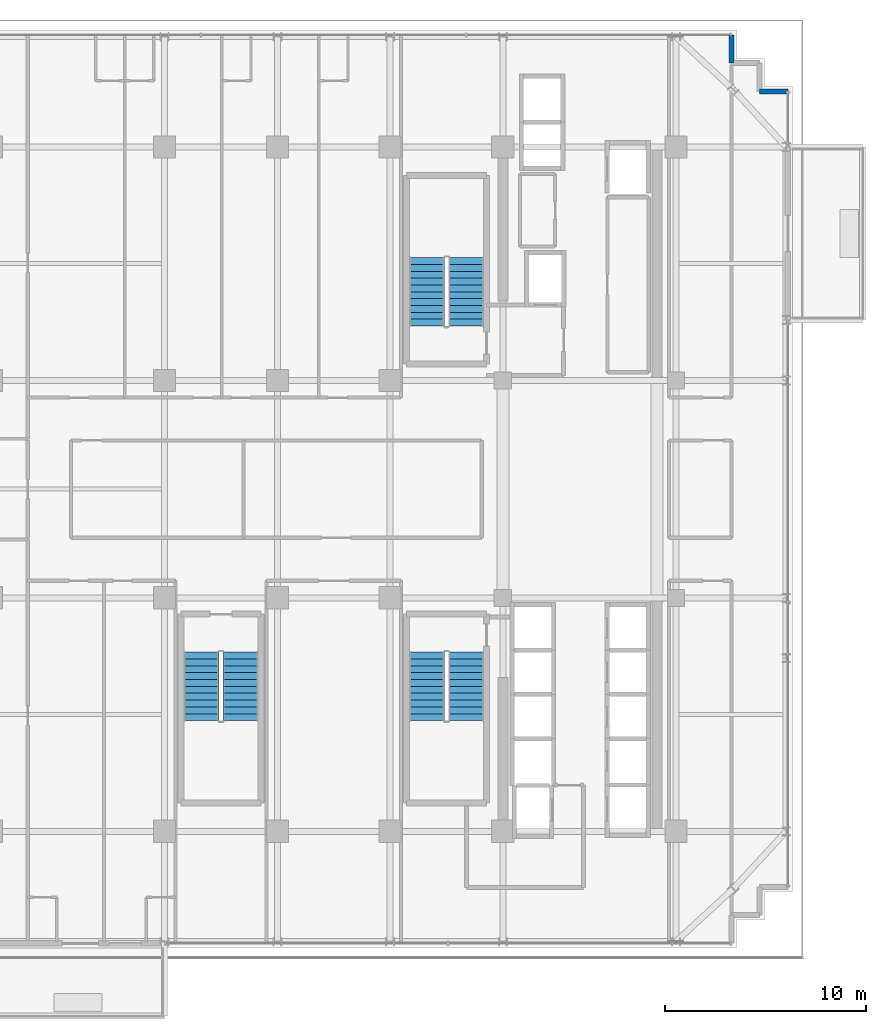
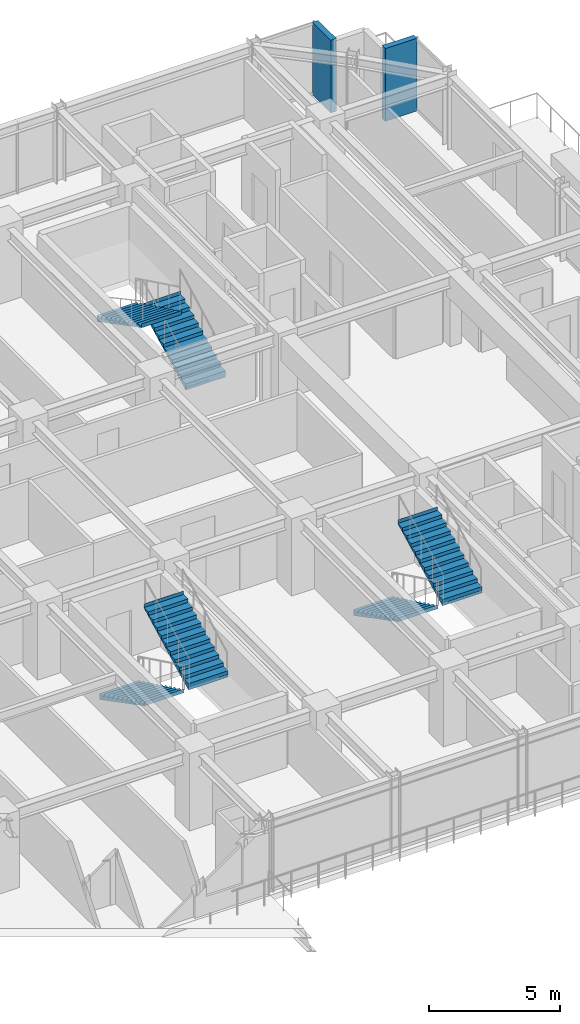
# One storey, part 29 of 33: 6 stair flights, 2 walls, 3 elements without a shape of their own.
"""IFC4 building model written with IfcOpenShell, lengths in metres."""

import ifcopenshell
import ifcopenshell.guid

model = None  # the IFC model being written
_history = None  # IfcOwnerHistory: only IFC2X3 demands one
_inside = {}  # id of a spatial element -> (the spatial element, [elements in it])
_under = {}  # id of a project, library or spatial element -> (it, [spatial elements below it])
_declared = {}  # id of a project -> (the project, [libraries it declares])
_typed = {}  # id of a type object -> (the type object, [elements of that type])
_made_of = {}  # id of a material, layer set ... -> (it, [elements and type objects made of it])


def new_model(schema):
    """Start an empty IFC model of exactly this schema.

    Asked for "IFC4X3", IfcOpenShell would pick the latest addendum, in which some entities
    have other attributes; the version numbers below select the first issue.
    IFC2X3 requires an IfcOwnerHistory on every rooted entity: one is made here for all.
    """
    global model, _history
    if schema == "IFC4X3":
        model = ifcopenshell.file(schema_version=(4, 3, 0, 0))
    else:
        model = ifcopenshell.file(schema=schema)
    _inside.clear()
    _under.clear()
    _declared.clear()
    _typed.clear()
    _made_of.clear()
    _history = None
    if model.schema == "IFC2X3":
        org = make("IfcOrganization", Name="unknown")
        user = make(
            "IfcPersonAndOrganization",
            ThePerson=make("IfcPerson", FamilyName="unknown"),
            TheOrganization=org,
        )
        app = make(
            "IfcApplication",
            ApplicationDeveloper=org,
            Version="unknown",
            ApplicationFullName="unknown",
            ApplicationIdentifier="unknown",
        )
        _history = make(
            "IfcOwnerHistory",
            OwningUser=user,
            OwningApplication=app,
            ChangeAction="ADDED",
            CreationDate=0,
        )
    return model


def make(cls, **values):
    """One entity of the class cls with the attributes given. An attribute that is None is left unset."""
    return model.create_entity(
        cls, **{name: value for name, value in values.items() if value is not None}
    )


def rooted(cls, **values):
    """An entity with a GlobalId (a new one), such as an element, a storey or a relation."""
    return make(cls, GlobalId=ifcopenshell.guid.new(), OwnerHistory=_history, **values)


def si_unit(unit_type, name, prefix=None):
    """IfcSIUnit, for example si_unit("LENGTHUNIT", "METRE", prefix="MILLI")."""
    return make("IfcSIUnit", UnitType=unit_type, Prefix=prefix, Name=name)


def assignment(units):
    """IfcUnitAssignment: the units of a project."""
    return None if units is None else make("IfcUnitAssignment", Units=units)


def point(xyz):
    """IfcCartesianPoint."""
    return None if xyz is None else make("IfcCartesianPoint", Coordinates=xyz)


def direction(xyz):
    """IfcDirection."""
    return None if xyz is None else make("IfcDirection", DirectionRatios=xyz)


def frame(location, z_axis=None, x_axis=None):
    """IfcAxis2Placement3D, a coordinate frame: its origin and axes. An axis left out is left unset."""
    return make(
        "IfcAxis2Placement3D",
        Location=point(location),
        Axis=direction(z_axis),
        RefDirection=direction(x_axis),
    )


def frame_2d(location, x_axis=None):
    """IfcAxis2Placement2D, a coordinate frame in the plane: its origin and x axis."""
    return make(
        "IfcAxis2Placement2D", Location=point(location), RefDirection=direction(x_axis)
    )


def origin():
    """The frame at (0, 0, 0) with its axes left unset."""
    return frame((0.0, 0.0, 0.0))


def place(relative_to, where):
    """IfcLocalPlacement: puts the frame where relative to a parent placement (None: the world)."""
    return make(
        "IfcLocalPlacement", PlacementRelTo=relative_to, RelativePlacement=where
    )


def context(
    kind, dimensions, precision=None, world=None, true_north=None, identifier=None
):
    """IfcGeometricRepresentationContext, for example the 3D "Model" context."""
    return make(
        "IfcGeometricRepresentationContext",
        ContextIdentifier=identifier,
        ContextType=kind,
        CoordinateSpaceDimension=dimensions,
        Precision=precision,
        WorldCoordinateSystem=world,
        TrueNorth=true_north,
    )


def subcontext(parent, identifier, kind, view, scale=None):
    """IfcGeometricRepresentationSubContext, for example "Body" below "Model"."""
    return make(
        "IfcGeometricRepresentationSubContext",
        ContextIdentifier=identifier,
        ContextType=kind,
        ParentContext=parent,
        TargetScale=scale,
        TargetView=view,
    )


def project(units=None, contexts=None):
    """IfcProject with its units and contexts."""
    return rooted(
        "IfcProject",
        Name="project",
        RepresentationContexts=contexts,
        UnitsInContext=assignment(units),
    )


def spatial(cls, under=None, at=None, **own):
    """A site, building, storey or space (cls), placed at a placement, below another one or the project."""
    s = rooted(cls, ObjectPlacement=at, **own)
    if under is not None:
        _under.setdefault(under.id(), (under, []))[1].append(s)
    return s


def polyline(points):
    """IfcPolyline through the points."""
    return make("IfcPolyline", Points=[point(p) for p in points])


def profile(cls, at=None, kind="AREA", **sizes):
    """A parametric profile (cls). Its sizes go by their IFC names, for example OverallWidth=200.0."""
    return make(cls, ProfileType=kind, Position=at, **sizes)


def rectangle(**sizes):
    """IfcRectangleProfileDef."""
    return profile("IfcRectangleProfileDef", **sizes)


def outline(outer, holes=None, kind="AREA"):
    """IfcArbitraryClosedProfileDef: a profile drawn as a closed curve; with holes, ...WithVoids."""
    if holes is None:
        return make("IfcArbitraryClosedProfileDef", ProfileType=kind, OuterCurve=outer)
    return make(
        "IfcArbitraryProfileDefWithVoids",
        ProfileType=kind,
        OuterCurve=outer,
        InnerCurves=holes,
    )


def extrude(swept, where, along, depth):
    """IfcExtrudedAreaSolid: the profile swept, set in the frame where, extruded along a direction by depth."""
    return make(
        "IfcExtrudedAreaSolid",
        SweptArea=swept,
        Position=where,
        ExtrudedDirection=direction(along),
        Depth=depth,
    )


def shape(context_of_items, identifier, shape_type, items):
    """IfcShapeRepresentation: the items that make up one representation, for example the "Body"."""
    return make(
        "IfcShapeRepresentation",
        ContextOfItems=context_of_items,
        RepresentationIdentifier=identifier,
        RepresentationType=shape_type,
        Items=items,
    )


def source(mapping_origin, context_of_items, identifier, shape_type, items):
    """IfcRepresentationMap: a shape defined once, which mapped items show again and again."""
    return make(
        "IfcRepresentationMap",
        MappingOrigin=mapping_origin,
        MappedRepresentation=shape(context_of_items, identifier, shape_type, items),
    )


def transform(
    local_origin,
    x_axis=None,
    y_axis=None,
    z_axis=None,
    scale=None,
    scale2=None,
    scale3=None,
    uniform=True,
):
    """IfcCartesianTransformationOperator3D, or its non-uniform kind. x_axis, y_axis, z_axis: its Axis1, 2, 3."""
    if uniform:
        return make(
            "IfcCartesianTransformationOperator3D",
            Axis1=direction(x_axis),
            Axis2=direction(y_axis),
            LocalOrigin=point(local_origin),
            Scale=scale,
            Axis3=direction(z_axis),
        )
    return make(
        "IfcCartesianTransformationOperator3DnonUniform",
        Axis1=direction(x_axis),
        Axis2=direction(y_axis),
        LocalOrigin=point(local_origin),
        Scale=scale,
        Axis3=direction(z_axis),
        Scale2=scale2,
        Scale3=scale3,
    )


def mapped(mapping_source, mapping_target):
    """IfcMappedItem: shows the shape of a source again, moved by a transform."""
    return make(
        "IfcMappedItem", MappingSource=mapping_source, MappingTarget=mapping_target
    )


def material(Name=None, Category=None):
    """IfcMaterial."""
    return make("IfcMaterial", Name=Name, Category=Category)


def layer(
    of_material, thickness, ventilated=None, Name=None, Category=None, Priority=None
):
    """IfcMaterialLayer: one layer of a wall or slab, of a material (None: an air gap)."""
    return make(
        "IfcMaterialLayer",
        Material=of_material,
        LayerThickness=thickness,
        IsVentilated=ventilated,
        Name=Name,
        Category=Category,
        Priority=Priority,
    )


def layer_set(layers, Name=None):
    """IfcMaterialLayerSet."""
    return make("IfcMaterialLayerSet", MaterialLayers=layers, LayerSetName=Name)


def made_of(thing, what):
    """Note that an element or type object is made of a material, layer set ...; save() writes the relation."""
    if what is not None:
        _made_of.setdefault(what.id(), (what, []))[1].append(thing)
    return thing


def type_object(cls, material=None, **own):
    """A type object (cls), such as IfcWallType, which elements share."""
    return made_of(rooted(cls, **own), material)


def element(
    cls,
    number,
    at=None,
    inside=None,
    cuts=None,
    type_object=None,
    material=None,
    context=None,
    identifier="Body",
    shape_type=None,
    held_by="IfcProductDefinitionShape",
    body=None,
    shapes=None,
    **own,
):
    """One element of the class cls, such as IfcWall. Its Tag is "e" and its number.

    at: its placement. inside: the storey or other place that contains it. cuts: it is an
    opening in that element (IfcRelVoidsElement). A single representation is given by context,
    identifier, shape_type and body (its items); several are given by shapes. held_by: the class
    of the entity that holds the representations. save() writes the other relations.
    """
    e = rooted(cls, Tag="e%d" % number, ObjectPlacement=at, **own)
    if body is not None:
        shapes = [shape(context, identifier, shape_type, body)]
    if shapes is not None:
        e.Representation = make(held_by, Representations=shapes)
    if inside is not None:
        _inside.setdefault(inside.id(), (inside, []))[1].append(e)
    if cuts is not None:
        rooted(
            "IfcRelVoidsElement", RelatingBuildingElement=cuts, RelatedOpeningElement=e
        )
    if type_object is not None:
        _typed.setdefault(type_object.id(), (type_object, []))[1].append(e)
    return made_of(e, material)


def aggregate(whole, parts):
    """IfcRelAggregates: a whole, such as a stair, and the parts it consists of."""
    return rooted("IfcRelAggregates", RelatingObject=whole, RelatedObjects=parts)


def save(model, path):
    """Write the relations noted so far, then the file.

    IfcRelAggregates (storeys below a building ...), IfcRelContainedInSpatialStructure (elements
    in a storey), IfcRelDefinesByType, IfcRelAssociatesMaterial and IfcRelDeclares: one each for
    every whole, place, type object, material and project.
    """
    for whole, parts in _under.values():
        aggregate(whole, parts)
    for where, things in _inside.values():
        rooted(
            "IfcRelContainedInSpatialStructure",
            RelatedElements=things,
            RelatingStructure=where,
        )
    for kind, things in _typed.values():
        rooted("IfcRelDefinesByType", RelatedObjects=things, RelatingType=kind)
    for what, things in _made_of.values():
        rooted("IfcRelAssociatesMaterial", RelatedObjects=things, RelatingMaterial=what)
    for by, libraries in _declared.values():
        rooted("IfcRelDeclares", RelatingContext=by, RelatedDefinitions=libraries)
    model.write(path)


model = new_model("IFC4")

# Units and contexts
model_context = context("Model", 3, precision=1e-05, world=origin(), true_north=direction((0.0, 1.0)))
body_context = subcontext(model_context, "Body", "Model", "MODEL_VIEW")
ifc_project = project(units=[si_unit("LENGTHUNIT", "METRE"), si_unit("AREAUNIT", "SQUARE_METRE"), si_unit("VOLUMEUNIT", "CUBIC_METRE"), si_unit("PLANEANGLEUNIT", "RADIAN"), si_unit("MASSUNIT", "GRAM", prefix="KILO")], contexts=[model_context])

# Site, building, storey
site_placement = place(None, origin())
site = spatial("IfcSite", under=ifc_project, at=site_placement, CompositionType="ELEMENT")
building_placement = place(site_placement, origin())
building = spatial("IfcBuilding", under=site, at=building_placement, Name="Nahalor Promenade Grand Hotel", CompositionType="ELEMENT")
storey_placement = place(building_placement, frame((0.0, 0.0, 149.0)))
storey = spatial("IfcBuildingStorey", under=building, at=storey_placement, Name="L37", CompositionType="ELEMENT", Elevation=149.0)

# Walls
ifc_material_1 = material(Name="Concrete B-40 (C32/40)", Category="concrete")
ifc_layer_1 = layer(ifc_material_1, 0.25)
ifc_layer_set_1 = layer_set([ifc_layer_1], Name="Concrete B-40 (C32/40)")
wall_type = type_object("IfcWallType", Name="Wall-BronzePier-250", PredefinedType="STANDARD", material=ifc_layer_set_1)
shared_shape_1 = source(origin(), body_context, "Body", "SweptSolid", [
    extrude(rectangle(XDim=1.400146484375, YDim=0.25, at=frame_2d((0.7001953125, 0.0))), origin(), (0.0, 0.0, 1.0), 3.389892578125),
])
for number, where, z_axis, x_axis, name in (
    (1, (21.159912109375, 19.760009765625, 0.0), (0.0, 0.0, 1.0), (1.0, 0.0, 0.0), "W-L37-SR-05"),
    (2, (19.760009765625, 21.159912109375, 0.0), (0.0, 0.0, 1.0), (0.0, 1.0, 0.0), "W-L37-SR-08"),
):
    element("IfcWall", number, at=place(storey_placement, frame(where, z_axis=z_axis, x_axis=x_axis)), inside=storey, type_object=wall_type, Name=name, PredefinedType="STANDARD", context=body_context, shape_type="MappedRepresentation", body=[
        mapped(shared_shape_1, transform((0.0, 0.0, 0.0), scale=1.0)),
    ])

# Stair, stair flights
ifc_material_2 = material(Name="Concrete B-50 (C40/50)", Category="concrete")
stair_type_1 = type_object("IfcStairType", Name="Stair-ST1", PredefinedType="HALF_TURN_STAIR", material=ifc_material_2)
stair_1_placement = place(storey_placement, origin())
stair_1 = element("IfcStair", 3, at=stair_1_placement, inside=storey, type_object=stair_type_1, Name="L37 ST1", PredefinedType="HALF_TURN_STAIR")
ifc_layer_2 = layer(ifc_material_2, 0.179931640625)
ifc_layer_set_2 = layer_set([ifc_layer_2], Name="Concrete B-50 (C40/50)")
stair_flight_type_1 = type_object("IfcStairFlightType", Name="Flight-ST1", PredefinedType="STRAIGHT", material=ifc_layer_set_2)
shared_shape_2 = source(origin(), body_context, "Body", "SweptSolid", [
    extrude(outline(polyline([(-0.00390625, -0.1201171875), (-0.00390625, 0.0), (0.0, 0.0), (0.0, 0.166015625), (0.340087890625, 0.166015625), (0.340087890625, 0.331787109375), (0.679931640625, 0.331787109375), (0.679931640625, 0.497802734375), (1.02001953125, 0.497802734375), (1.02001953125, 0.66357421875), (1.360107421875, 0.66357421875), (1.360107421875, 0.82958984375), (1.699951171875, 0.82958984375), (1.699951171875, 0.995361328125), (2.0400390625, 0.995361328125), (2.0400390625, 1.161376953125), (2.3798828125, 1.161376953125), (2.3798828125, 1.327392578125), (2.719970703125, 1.327392578125), (2.719970703125, 1.4931640625), (3.06005859375, 1.4931640625), (3.06005859375, 1.6591796875), (3.39990234375, 1.6591796875), (3.39990234375, 1.824951171875), (3.404052734375, 1.824951171875), (3.404052734375, 1.64501953125), (0.02001953125, -0.1201171875), (-0.00390625, -0.1201171875)])), frame((0.0, 0.875, 0.0), z_axis=(0.0, -1.0, 0.0), x_axis=(1.0, 0.0, 0.0)), (0.0, 0.0, 1.0), 1.75),
])
stair_flight_1_placement = place(storey_placement, frame((6.574951171875, 8.10009765625, 0.0), z_axis=(0.0, 0.0, 1.0), x_axis=(0.0, 1.0, 0.0)))
stair_flight_1 = element("IfcStairFlight", 4, at=stair_flight_1_placement, type_object=stair_flight_type_1, Name="ST1 flight 1", NumberOfRisers=11, NumberOfTreads=10, PredefinedType="STRAIGHT", RiserHeight=0.165909091, TreadLength=0.34, context=body_context, shape_type="MappedRepresentation", body=[
    mapped(shared_shape_2, transform((0.0, 0.0, 0.0), scale=1.0)),
])
stair_flight_2_placement = place(storey_placement, frame((4.625, 11.5, 1.824951171875), z_axis=(0.0, 0.0, 1.0), x_axis=(0.0, -1.0, 0.0)))
stair_flight_2 = element("IfcStairFlight", 5, at=stair_flight_2_placement, type_object=stair_flight_type_1, Name="ST1 flight 2", NumberOfRisers=11, NumberOfTreads=10, PredefinedType="STRAIGHT", RiserHeight=0.165909091, TreadLength=0.34, context=body_context, shape_type="MappedRepresentation", body=[
    mapped(shared_shape_2, transform((0.0, 0.0, 0.0), scale=1.0)),
])
aggregate(stair_1, [stair_flight_1, stair_flight_2])

stair_type_2 = type_object("IfcStairType", Name="Stair-ST2", PredefinedType="HALF_TURN_STAIR", material=ifc_material_2)
stair_2_placement = place(storey_placement, origin())
stair_2 = element("IfcStair", 6, at=stair_2_placement, inside=storey, type_object=stair_type_2, Name="L37 ST2", PredefinedType="HALF_TURN_STAIR")
ifc_layer_3 = layer(ifc_material_2, 0.18994140625)
ifc_layer_set_3 = layer_set([ifc_layer_3], Name="Concrete B-50 (C40/50)")
stair_flight_type_2 = type_object("IfcStairFlightType", Name="Flight-ST2", PredefinedType="STRAIGHT", material=ifc_layer_set_3)
shared_shape_3 = source(origin(), body_context, "Body", "SweptSolid", [
    extrude(outline(polyline([(-0.00390625, -0.1201171875), (-0.00390625, 0.0), (0.0, 0.0), (0.0, 0.166015625), (0.340087890625, 0.166015625), (0.340087890625, 0.331787109375), (0.679931640625, 0.331787109375), (0.679931640625, 0.497802734375), (1.02001953125, 0.497802734375), (1.02001953125, 0.66357421875), (1.360107421875, 0.66357421875), (1.360107421875, 0.82958984375), (1.699951171875, 0.82958984375), (1.699951171875, 0.995361328125), (2.0400390625, 0.995361328125), (2.0400390625, 1.161376953125), (2.3798828125, 1.161376953125), (2.3798828125, 1.327392578125), (2.719970703125, 1.327392578125), (2.719970703125, 1.4931640625), (3.06005859375, 1.4931640625), (3.06005859375, 1.6591796875), (3.39990234375, 1.6591796875), (3.39990234375, 1.824951171875), (3.404052734375, 1.824951171875), (3.404052734375, 1.64501953125), (0.02001953125, -0.1201171875), (-0.00390625, -0.1201171875)])), frame((0.0, 0.875, 0.0), z_axis=(0.0, -1.0, 0.0), x_axis=(1.0, 0.0, 0.0)), (0.0, 0.0, 1.0), 1.75),
])
stair_flight_3_placement = place(storey_placement, frame((4.625, -8.10009765625, 0.0), z_axis=(0.0, 0.0, 1.0), x_axis=(0.0, -1.0, 0.0)))
stair_flight_3 = element("IfcStairFlight", 7, at=stair_flight_3_placement, type_object=stair_flight_type_2, Name="ST2 flight 1", NumberOfRisers=11, NumberOfTreads=10, PredefinedType="STRAIGHT", RiserHeight=0.165909091, TreadLength=0.34, context=body_context, shape_type="MappedRepresentation", body=[
    mapped(shared_shape_3, transform((0.0, 0.0, 0.0), scale=1.0)),
])
stair_flight_4_placement = place(storey_placement, frame((6.574951171875, -11.5, 1.824951171875), z_axis=(0.0, 0.0, 1.0), x_axis=(0.0, 1.0, 0.0)))
stair_flight_4 = element("IfcStairFlight", 8, at=stair_flight_4_placement, type_object=stair_flight_type_2, Name="ST2 flight 2", NumberOfRisers=11, NumberOfTreads=10, PredefinedType="STRAIGHT", RiserHeight=0.165909091, TreadLength=0.34, context=body_context, shape_type="MappedRepresentation", body=[
    mapped(shared_shape_3, transform((0.0, 0.0, 0.0), scale=1.0)),
])
aggregate(stair_2, [stair_flight_3, stair_flight_4])

stair_type_3 = type_object("IfcStairType", Name="Stair-ST3", PredefinedType="HALF_TURN_STAIR", material=ifc_material_2)
stair_3_placement = place(storey_placement, origin())
stair_3 = element("IfcStair", 9, at=stair_3_placement, inside=storey, type_object=stair_type_3, Name="L37 ST3", PredefinedType="HALF_TURN_STAIR")
ifc_layer_4 = layer(ifc_material_2, 0.199951171875)
ifc_layer_set_4 = layer_set([ifc_layer_4], Name="Concrete B-50 (C40/50)")
stair_flight_type_3 = type_object("IfcStairFlightType", Name="Flight-ST3", PredefinedType="STRAIGHT", material=ifc_layer_set_4)
shared_shape_4 = source(origin(), body_context, "Body", "SweptSolid", [
    extrude(outline(polyline([(-0.00390625, -0.1201171875), (-0.00390625, 0.0), (0.0, 0.0), (0.0, 0.166015625), (0.340087890625, 0.166015625), (0.340087890625, 0.331787109375), (0.679931640625, 0.331787109375), (0.679931640625, 0.497802734375), (1.02001953125, 0.497802734375), (1.02001953125, 0.66357421875), (1.360107421875, 0.66357421875), (1.360107421875, 0.82958984375), (1.699951171875, 0.82958984375), (1.699951171875, 0.995361328125), (2.0400390625, 0.995361328125), (2.0400390625, 1.161376953125), (2.3798828125, 1.161376953125), (2.3798828125, 1.327392578125), (2.719970703125, 1.327392578125), (2.719970703125, 1.4931640625), (3.06005859375, 1.4931640625), (3.06005859375, 1.6591796875), (3.39990234375, 1.6591796875), (3.39990234375, 1.824951171875), (3.404052734375, 1.824951171875), (3.404052734375, 1.64501953125), (0.02001953125, -0.1201171875), (-0.00390625, -0.1201171875)])), frame((0.0, 0.875, 0.0), z_axis=(0.0, -1.0, 0.0), x_axis=(1.0, 0.0, 0.0)), (0.0, 0.0, 1.0), 1.75),
])
stair_flight_5_placement = place(storey_placement, frame((-6.574951171875, -8.10009765625, 0.0), z_axis=(0.0, 0.0, 1.0), x_axis=(0.0, -1.0, 0.0)))
stair_flight_5 = element("IfcStairFlight", 10, at=stair_flight_5_placement, type_object=stair_flight_type_3, Name="ST3 flight 1", NumberOfRisers=11, NumberOfTreads=10, PredefinedType="STRAIGHT", RiserHeight=0.165909091, TreadLength=0.34, context=body_context, shape_type="MappedRepresentation", body=[
    mapped(shared_shape_4, transform((0.0, 0.0, 0.0), scale=1.0)),
])
stair_flight_6_placement = place(storey_placement, frame((-4.625, -11.5, 1.824951171875), z_axis=(0.0, 0.0, 1.0), x_axis=(0.0, 1.0, 0.0)))
stair_flight_6 = element("IfcStairFlight", 11, at=stair_flight_6_placement, type_object=stair_flight_type_3, Name="ST3 flight 2", NumberOfRisers=11, NumberOfTreads=10, PredefinedType="STRAIGHT", RiserHeight=0.165909091, TreadLength=0.34, context=body_context, shape_type="MappedRepresentation", body=[
    mapped(shared_shape_4, transform((0.0, 0.0, 0.0), scale=1.0)),
])
aggregate(stair_3, [stair_flight_5, stair_flight_6])

save(model, "model.ifc")
